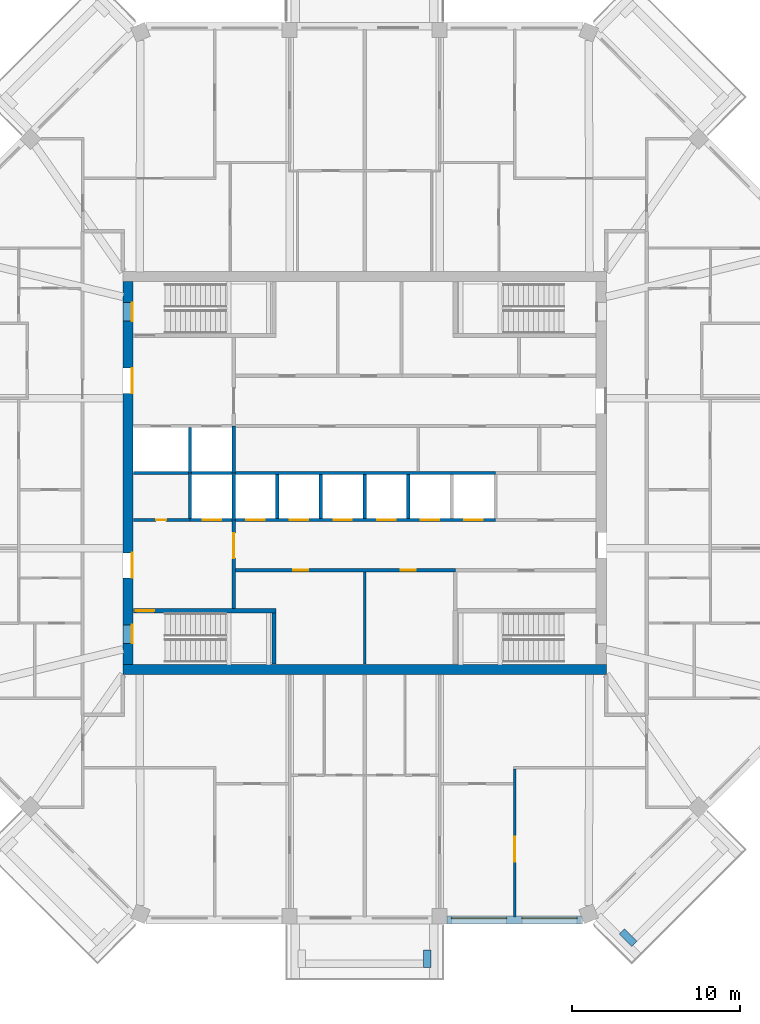
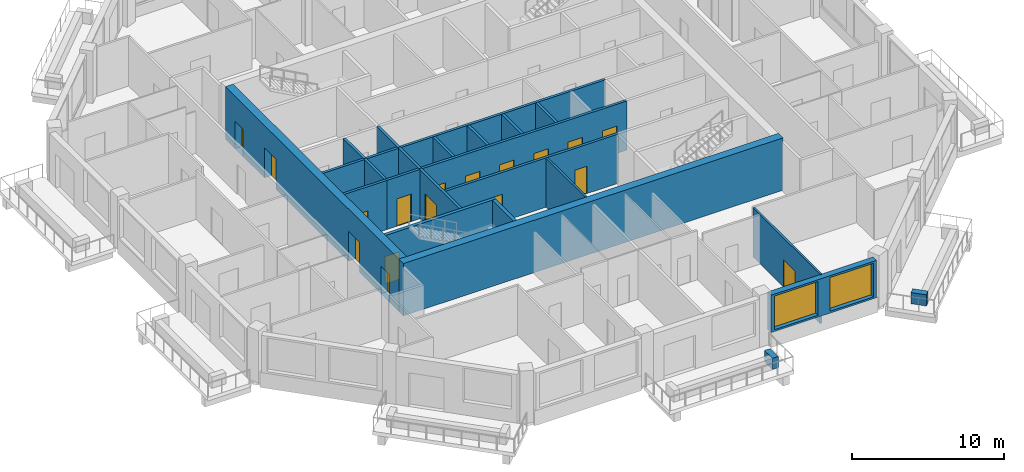
# One storey, part 4 of 12: 22 walls, 17 doors, 2 windows, 19 openings.
"""IFC4 building model written with IfcOpenShell, lengths in metres."""

from ifc_helpers import new_model, si_unit, direction, frame, frame_2d, origin, place, context, subcontext, project, spatial, rectangle, extrude, material, layer, layer_set, type_object, element, fill, save


model = new_model("IFC4")

# Units and contexts
model_context = context("Model", 3, precision=1e-05, world=origin(), true_north=direction((0.0, 1.0)))
body_context = subcontext(model_context, "Body", "Model", "MODEL_VIEW")
ifc_project = project(units=[si_unit("LENGTHUNIT", "METRE"), si_unit("AREAUNIT", "SQUARE_METRE"), si_unit("VOLUMEUNIT", "CUBIC_METRE"), si_unit("PLANEANGLEUNIT", "RADIAN"), si_unit("MASSUNIT", "GRAM", prefix="KILO")], contexts=[model_context])

# Site, building, storey
site_placement = place(None, origin())
site = spatial("IfcSite", under=ifc_project, at=site_placement, CompositionType="ELEMENT")
building_placement = place(site_placement, origin())
building = spatial("IfcBuilding", under=site, at=building_placement, Name="Msitu Wima Residences", CompositionType="ELEMENT")
storey_placement = place(building_placement, frame((0.0, 0.0, 243.300048828125)))
storey = spatial("IfcBuildingStorey", under=building, at=storey_placement, Name="L56", CompositionType="ELEMENT", Elevation=243.300048828125)

# Walls
ifc_material_1 = material(Name="Facing brick")
ifc_layer_1 = layer(ifc_material_1, 0.06494140625, Name="Facing brick")
ifc_material_2 = material(Name="Concrete C40/50", Category="concrete")
ifc_layer_2 = layer(ifc_material_2, 0.156005859375, Name="Concrete C40/50")
ifc_material_3 = material(Name="Waterproofing membrane")
ifc_layer_3 = layer(ifc_material_3, 0.00390625, Name="Waterproofing membrane")
ifc_material_4 = material(Name="Planting soil and planting")
ifc_layer_4 = layer(ifc_material_4, 0.22509765625, Name="Planting soil and planting")
ifc_layer_set_1 = layer_set([ifc_layer_1, ifc_layer_2, ifc_layer_3, ifc_layer_4], Name="Concrete C40/50")
wall_type_1 = type_object("IfcWallType", Name="Balcony planter PLANTER PL450", PredefinedType="USERDEFINED", material=ifc_layer_set_1)
for number, where, z_axis, x_axis, name in (
    (1, (3.74365234375, -28.39990234375, 0.0), (0.0, 0.0, 1.0), (0.0, -1.0, 0.0), "Balcony planter S1 L56"),
    (2, (15.332763671875, -27.301513671875, 0.0), (0.0, 0.0, 1.0), (0.707106781187, -0.707106781187, 0.0), "Balcony planter SE0 L56"),
):
    element("IfcWall", number, at=place(storey_placement, frame(where, z_axis=z_axis, x_axis=x_axis)), inside=storey, type_object=wall_type_1, Name=name, ObjectType="PLANTER", PredefinedType="USERDEFINED", context=body_context, shape_type="SweptSolid", body=[
        extrude(rectangle(XDim=1.050048828125, YDim=0.449951171875, at=frame_2d((0.52490234375, 0.0))), origin(), (0.0, 0.0, 1.0), 0.89990234375),
    ])

# Wall, openings, windows
ifc_material_5 = material(Name="Brick (red buff mix)", Category="masonry")
ifc_layer_5 = layer(ifc_material_5, 0.449951171875)
ifc_layer_set_2 = layer_set([ifc_layer_5], Name="Brick (red buff mix)")
wall_type_2 = type_object("IfcWallType", Name="Brick infill wall BW450", PredefinedType="SOLIDWALL", material=ifc_layer_set_2)
wall_1_placement = place(storey_placement, frame((4.918701171875, -26.625, 0.89990234375), z_axis=(0.0, 0.0, 1.0), x_axis=(1.0, 0.0, 0.0)))
wall_1 = element("IfcWall", 3, at=wall_1_placement, inside=storey, type_object=wall_type_2, Name="Brick infill wall L56 S2", PredefinedType="SOLIDWALL", context=body_context, shape_type="SweptSolid", body=[
    extrude(rectangle(XDim=8.0, YDim=0.449951171875, at=frame_2d((4.0, 0.0))), origin(), (0.0, 0.0, 1.0), 3.0),
])
opening_1_placement = place(wall_1_placement, frame((0.25, 0.0, 0.14990234375)))
opening_1 = element("IfcOpeningElement", 4, at=opening_1_placement, cuts=wall_1, Name="Opening W55-56.019", PredefinedType="OPENING", context=body_context, shape_type="SweptSolid", body=[
    extrude(rectangle(XDim=3.300048828125, YDim=2.699951171875, at=frame_2d((1.64990234375, 1.35009765625))), frame((0.0, 0.23486328125, 0.0), z_axis=(0.0, -1.0, 0.0), x_axis=(1.0, 0.0, 0.0)), (0.0, 0.0, 1.0), 0.469970703125),
])
opening_2_placement = place(wall_1_placement, frame((4.4501953125, 0.0, 0.14990234375)))
opening_2 = element("IfcOpeningElement", 5, at=opening_2_placement, cuts=wall_1, Name="Opening W55-56.020", PredefinedType="OPENING", context=body_context, shape_type="SweptSolid", body=[
    extrude(rectangle(XDim=3.300048828125, YDim=2.699951171875, at=frame_2d((1.64990234375, 1.35009765625))), frame((0.0, 0.23486328125, 0.0), z_axis=(0.0, -1.0, 0.0), x_axis=(1.0, 0.0, 0.0)), (0.0, 0.0, 1.0), 0.469970703125),
])
ifc_material_6 = material(Name="Anodised aluminium, bronze finish, clear low-emissivity double glazing", Category="aluminium")
window_type = type_object("IfcWindowType", Name="Window W3300x2700", PartitioningType="DOUBLE_PANEL_VERTICAL", PredefinedType="WINDOW", material=ifc_material_6)
window_1_placement = place(opening_1_placement, origin())
window_1 = element("IfcWindow", 6, at=window_1_placement, inside=storey, type_object=window_type, Name="Window L56 S2.1", OverallHeight=2.699951171875, OverallWidth=3.300048828125, PartitioningType="SINGLE_PANEL", PredefinedType="WINDOW", context=body_context, shape_type="SweptSolid", body=[
    extrude(rectangle(XDim=3.300048828125, YDim=2.699951171875, at=frame_2d((1.64990234375, 1.35009765625))), frame((0.0, 0.135009765625, 0.0), z_axis=(0.0, -1.0, 0.0), x_axis=(1.0, 0.0, 0.0)), (0.0, 0.0, 1.0), 0.06005859375),
])
fill(opening_1, window_1)
window_2_placement = place(opening_2_placement, origin())
window_2 = element("IfcWindow", 7, at=window_2_placement, inside=storey, type_object=window_type, Name="Window L56 S2.2", OverallHeight=2.699951171875, OverallWidth=3.300048828125, PartitioningType="SINGLE_PANEL", PredefinedType="WINDOW", context=body_context, shape_type="SweptSolid", body=[
    extrude(rectangle(XDim=3.300048828125, YDim=2.699951171875, at=frame_2d((1.64990234375, 1.35009765625))), frame((0.0, 0.135009765625, 0.0), z_axis=(0.0, -1.0, 0.0), x_axis=(1.0, 0.0, 0.0)), (0.0, 0.0, 1.0), 0.06005859375),
])
fill(opening_2, window_2)

# Wall
ifc_material_7 = material(Name="Concrete C50/60", Category="concrete")
ifc_layer_6 = layer(ifc_material_7, 0.60009765625)
ifc_layer_set_3 = layer_set([ifc_layer_6], Name="Concrete C50/60")
wall_type_3 = type_object("IfcWallType", Name="Core wall CW600 C50/60", PredefinedType="SHEAR", material=ifc_layer_set_3)
wall_2_placement = place(storey_placement, frame((-14.39990234375, -11.699951171875, 0.0), z_axis=(0.0, 0.0, 1.0), x_axis=(1.0, 0.0, 0.0)))
element("IfcWall", 8, at=wall_2_placement, inside=storey, type_object=wall_type_3, Name="Core wall", PredefinedType="SHEAR", context=body_context, shape_type="SweptSolid", body=[
    extrude(rectangle(XDim=28.7998046875, YDim=0.60009765625, at=frame_2d((14.39990234375, 0.0))), origin(), (0.0, 0.0, 1.0), 4.199951171875),
])

# Wall, openings, doors
wall_3_placement = place(storey_placement, frame((-14.10009765625, -11.39990234375, 0.0), z_axis=(0.0, 0.0, 1.0), x_axis=(0.0, 1.0, 0.0)))
wall_3 = element("IfcWall", 9, at=wall_3_placement, inside=storey, type_object=wall_type_3, Name="Core wall", PredefinedType="SHEAR", context=body_context, shape_type="SweptSolid", body=[
    extrude(rectangle(XDim=22.7998046875, YDim=0.60009765625, at=frame_2d((11.39990234375, 0.0))), origin(), (0.0, 0.0, 1.0), 4.199951171875),
])
opening_3_placement = place(wall_3_placement, frame((20.449951171875, 0.0, 0.0)))
opening_3 = element("IfcOpeningElement", 10, at=opening_3_placement, cuts=wall_3, Name="Opening D55-56.077", PredefinedType="OPENING", context=body_context, shape_type="SweptSolid", body=[
    extrude(rectangle(XDim=1.10009765625, YDim=2.199951171875, at=frame_2d((0.550048828125, 1.10009765625))), frame((0.0, 0.31005859375, 0.0), z_axis=(0.0, -1.0, 0.0), x_axis=(1.0, 0.0, 0.0)), (0.0, 0.0, 1.0), 0.6201171875),
])
opening_4_placement = place(wall_3_placement, frame((1.25, 0.0, 0.0)))
opening_4 = element("IfcOpeningElement", 11, at=opening_4_placement, cuts=wall_3, Name="Opening D55-56.079", PredefinedType="OPENING", context=body_context, shape_type="SweptSolid", body=[
    extrude(rectangle(XDim=1.10009765625, YDim=2.199951171875, at=frame_2d((0.550048828125, 1.10009765625))), frame((0.0, 0.31005859375, 0.0), z_axis=(0.0, -1.0, 0.0), x_axis=(1.0, 0.0, 0.0)), (0.0, 0.0, 1.0), 0.6201171875),
])
opening_5_placement = place(wall_3_placement, frame((16.14990234375, 0.0, 0.0)))
opening_5 = element("IfcOpeningElement", 12, at=opening_5_placement, cuts=wall_3, Name="Opening D55-56.060", PredefinedType="OPENING", context=body_context, shape_type="SweptSolid", body=[
    extrude(rectangle(XDim=1.5, YDim=2.39990234375, at=frame_2d((0.75, 1.199951171875))), frame((0.0, 0.31005859375, 0.0), z_axis=(0.0, -1.0, 0.0), x_axis=(1.0, 0.0, 0.0)), (0.0, 0.0, 1.0), 0.6201171875),
])
opening_6_placement = place(wall_3_placement, frame((5.14990234375, 0.0, 0.0)))
opening_6 = element("IfcOpeningElement", 13, at=opening_6_placement, cuts=wall_3, Name="Opening D55-56.062", PredefinedType="OPENING", context=body_context, shape_type="SweptSolid", body=[
    extrude(rectangle(XDim=1.5, YDim=2.39990234375, at=frame_2d((0.75, 1.199951171875))), frame((0.0, 0.31005859375, 0.0), z_axis=(0.0, -1.0, 0.0), x_axis=(1.0, 0.0, 0.0)), (0.0, 0.0, 1.0), 0.6201171875),
])
ifc_material_8 = material(Name="Steel framed glazed door, fire resisting", Category="steel")
door_type_1 = type_object("IfcDoorType", Name="Lobby door D07 1500x2400", OperationType="DOUBLE_DOOR_SINGLE_SWING", PredefinedType="DOOR", material=ifc_material_8)
door_1_placement = place(opening_5_placement, origin())
door_1 = element("IfcDoor", 14, at=door_1_placement, inside=storey, type_object=door_type_1, Name="Lobby door", OperationType="DOUBLE_DOOR_SINGLE_SWING", OverallHeight=2.39990234375, OverallWidth=1.5, PredefinedType="DOOR", context=body_context, shape_type="SweptSolid", body=[
    extrude(rectangle(XDim=1.5, YDim=2.39990234375, at=frame_2d((0.75, 1.199951171875))), frame((0.0, -0.2451171875, 0.0), z_axis=(0.0, -1.0, 0.0), x_axis=(1.0, 0.0, 0.0)), (0.0, 0.0, 1.0), 0.050048828125),
])
fill(opening_5, door_1)
door_2_placement = place(opening_6_placement, origin())
door_2 = element("IfcDoor", 15, at=door_2_placement, inside=storey, type_object=door_type_1, Name="Lobby door", OperationType="DOUBLE_DOOR_SINGLE_SWING", OverallHeight=2.39990234375, OverallWidth=1.5, PredefinedType="DOOR", context=body_context, shape_type="SweptSolid", body=[
    extrude(rectangle(XDim=1.5, YDim=2.39990234375, at=frame_2d((0.75, 1.199951171875))), frame((0.0, -0.2451171875, 0.0), z_axis=(0.0, -1.0, 0.0), x_axis=(1.0, 0.0, 0.0)), (0.0, 0.0, 1.0), 0.050048828125),
])
fill(opening_6, door_2)
ifc_material_9 = material(Name="Steel door, fire resisting, panic bar", Category="steel")
door_type_2 = type_object("IfcDoorType", Name="Stair door D06 1100x2200", OperationType="SINGLE_SWING_LEFT", PredefinedType="DOOR", material=ifc_material_9)
door_3_placement = place(opening_3_placement, origin())
door_3 = element("IfcDoor", 16, at=door_3_placement, inside=storey, type_object=door_type_2, Name="Stair door", OperationType="SINGLE_SWING_RIGHT", OverallHeight=2.199951171875, OverallWidth=1.10009765625, PredefinedType="DOOR", context=body_context, shape_type="SweptSolid", body=[
    extrude(rectangle(XDim=1.10009765625, YDim=2.199951171875, at=frame_2d((0.550048828125, 1.10009765625))), frame((0.0, -0.2451171875, 0.0), z_axis=(0.0, -1.0, 0.0), x_axis=(1.0, 0.0, 0.0)), (0.0, 0.0, 1.0), 0.050048828125),
])
fill(opening_3, door_3)
door_4_placement = place(opening_4_placement, origin())
door_4 = element("IfcDoor", 17, at=door_4_placement, inside=storey, type_object=door_type_2, Name="Stair door", OperationType="SINGLE_SWING_LEFT", OverallHeight=2.199951171875, OverallWidth=1.10009765625, PredefinedType="DOOR", context=body_context, shape_type="SweptSolid", body=[
    extrude(rectangle(XDim=1.10009765625, YDim=2.199951171875, at=frame_2d((0.550048828125, 1.10009765625))), frame((0.0, -0.2451171875, 0.0), z_axis=(0.0, -1.0, 0.0), x_axis=(1.0, 0.0, 0.0)), (0.0, 0.0, 1.0), 0.050048828125),
])
fill(opening_4, door_4)

# Wall, opening, door
ifc_material_10 = material(Name="Plaster")
ifc_layer_7 = layer(ifc_material_10, 0.011962890625, Name="Plaster")
ifc_material_11 = material(Name="Concrete blockwork", Category="masonry")
ifc_layer_8 = layer(ifc_material_11, 0.176025390625, Name="Concrete blockwork")
ifc_layer_9 = layer(ifc_material_10, 0.011962890625, Name="Plaster")
ifc_layer_set_4 = layer_set([ifc_layer_7, ifc_layer_8, ifc_layer_9], Name="Concrete blockwork")
wall_type_4 = type_object("IfcWallType", Name="Corridor wall FW200", PredefinedType="PARTITIONING", material=ifc_layer_set_4)
wall_4_placement = place(storey_placement, frame((-7.800048828125, -8.074951171875, 0.0), z_axis=(0.0, 0.0, 1.0), x_axis=(0.0, 1.0, 0.0)))
wall_4 = element("IfcWall", 18, at=wall_4_placement, inside=storey, type_object=wall_type_4, Name="Corridor wall", PredefinedType="PARTITIONING", context=body_context, shape_type="SweptSolid", body=[
    extrude(rectangle(XDim=5.27490234375, YDim=0.199951171875, at=frame_2d((2.637451171875, 0.0))), origin(), (0.0, 0.0, 1.0), 3.949951171875),
])
opening_7_placement = place(wall_4_placement, frame((3.0, 0.0, 0.0)))
opening_7 = element("IfcOpeningElement", 19, at=opening_7_placement, cuts=wall_4, Name="Opening D55-56.063", PredefinedType="OPENING", context=body_context, shape_type="SweptSolid", body=[
    extrude(rectangle(XDim=1.5, YDim=2.39990234375, at=frame_2d((0.75, 1.199951171875))), frame((0.0, 0.10986328125, 0.0), z_axis=(0.0, -1.0, 0.0), x_axis=(1.0, 0.0, 0.0)), (0.0, 0.0, 1.0), 0.219970703125),
])
door_5_placement = place(opening_7_placement, origin())
door_5 = element("IfcDoor", 20, at=door_5_placement, inside=storey, type_object=door_type_1, Name="Lobby door", OperationType="DOUBLE_DOOR_SINGLE_SWING", OverallHeight=2.39990234375, OverallWidth=1.5, PredefinedType="DOOR", context=body_context, shape_type="SweptSolid", body=[
    extrude(rectangle(XDim=1.5, YDim=2.39990234375, at=frame_2d((0.75, 1.199951171875))), frame((0.0, 0.02490234375, 0.0), z_axis=(0.0, -1.0, 0.0), x_axis=(1.0, 0.0, 0.0)), (0.0, 0.0, 1.0), 0.050048828125),
])
fill(opening_7, door_5)

# Wall, openings, doors
wall_5_placement = place(storey_placement, frame((-7.699951171875, -5.800048828125, 0.0), z_axis=(0.0, 0.0, 1.0), x_axis=(1.0, 0.0, 0.0)))
wall_5 = element("IfcWall", 21, at=wall_5_placement, inside=storey, type_object=wall_type_4, Name="Corridor wall", PredefinedType="PARTITIONING", context=body_context, shape_type="SweptSolid", body=[
    extrude(rectangle(XDim=13.119873046875, YDim=0.199951171875, at=frame_2d((6.56005859375, 0.0))), origin(), (0.0, 0.0, 1.0), 3.949951171875),
])
opening_8_placement = place(wall_5_placement, frame((3.449951171875, 0.0, 0.0)))
opening_8 = element("IfcOpeningElement", 22, at=opening_8_placement, cuts=wall_5, Name="Opening D55-56.068", PredefinedType="OPENING", context=body_context, shape_type="SweptSolid", body=[
    extrude(rectangle(XDim=0.89990234375, YDim=2.199951171875, at=frame_2d((0.449951171875, 1.10009765625))), frame((0.0, 0.10986328125, 0.0), z_axis=(0.0, -1.0, 0.0), x_axis=(1.0, 0.0, 0.0)), (0.0, 0.0, 1.0), 0.219970703125),
])
opening_9_placement = place(wall_5_placement, frame((9.85009765625, 0.0, 0.0)))
opening_9 = element("IfcOpeningElement", 23, at=opening_9_placement, cuts=wall_5, Name="Opening D55-56.069", PredefinedType="OPENING", context=body_context, shape_type="SweptSolid", body=[
    extrude(rectangle(XDim=0.89990234375, YDim=2.199951171875, at=frame_2d((0.449951171875, 1.10009765625))), frame((0.0, 0.10986328125, 0.0), z_axis=(0.0, -1.0, 0.0), x_axis=(1.0, 0.0, 0.0)), (0.0, 0.0, 1.0), 0.219970703125),
])
ifc_material_12 = material(Name="Timber flush door", Category="wood")
door_type_3 = type_object("IfcDoorType", Name="Service door D05 900x2200", OperationType="SINGLE_SWING_LEFT", PredefinedType="DOOR", material=ifc_material_12)
door_6_placement = place(opening_8_placement, origin())
door_6 = element("IfcDoor", 24, at=door_6_placement, inside=storey, type_object=door_type_3, Name="Service door", OperationType="SINGLE_SWING_RIGHT", OverallHeight=2.199951171875, OverallWidth=0.89990234375, PredefinedType="DOOR", context=body_context, shape_type="SweptSolid", body=[
    extrude(rectangle(XDim=0.89990234375, YDim=2.199951171875, at=frame_2d((0.449951171875, 1.10009765625))), frame((0.0, 0.02490234375, 0.0), z_axis=(0.0, -1.0, 0.0), x_axis=(1.0, 0.0, 0.0)), (0.0, 0.0, 1.0), 0.050048828125),
])
fill(opening_8, door_6)
door_7_placement = place(opening_9_placement, origin())
door_7 = element("IfcDoor", 25, at=door_7_placement, inside=storey, type_object=door_type_3, Name="Service door", OperationType="SINGLE_SWING_RIGHT", OverallHeight=2.199951171875, OverallWidth=0.89990234375, PredefinedType="DOOR", context=body_context, shape_type="SweptSolid", body=[
    extrude(rectangle(XDim=0.89990234375, YDim=2.199951171875, at=frame_2d((0.449951171875, 1.10009765625))), frame((0.0, 0.02490234375, 0.0), z_axis=(0.0, -1.0, 0.0), x_axis=(1.0, 0.0, 0.0)), (0.0, 0.0, 1.0), 0.050048828125),
])
fill(opening_9, door_7)

# Wall
ifc_layer_10 = layer(ifc_material_10, 0.011962890625, Name="Plaster")
ifc_layer_11 = layer(ifc_material_11, 0.1259765625, Name="Concrete blockwork")
ifc_layer_12 = layer(ifc_material_10, 0.011962890625, Name="Plaster")
ifc_layer_set_5 = layer_set([ifc_layer_10, ifc_layer_11, ifc_layer_12], Name="Concrete blockwork")
wall_type_5 = type_object("IfcWallType", Name="Partition PW150", PredefinedType="PARTITIONING", material=ifc_layer_set_5)
wall_6_placement = place(storey_placement, frame((0.0, -11.3701171875, 0.0), z_axis=(0.0, 0.0, 1.0), x_axis=(0.0, 1.0, 0.0)))
element("IfcWall", 26, at=wall_6_placement, inside=storey, type_object=wall_type_5, Name="Partition", PredefinedType="PARTITIONING", context=body_context, shape_type="SweptSolid", body=[
    extrude(rectangle(XDim=5.47021484375, YDim=0.14990234375, at=frame_2d((2.735107421875, 0.0))), origin(), (0.0, 0.0, 1.0), 3.949951171875),
])

# Wall, opening, door
wall_7_placement = place(storey_placement, frame((8.937255859375, -26.455078125, 0.0), z_axis=(0.0, 0.0, 1.0), x_axis=(0.0, 1.0, 0.0)))
wall_7 = element("IfcWall", 27, at=wall_7_placement, inside=storey, type_object=wall_type_5, Name="Partition", PredefinedType="PARTITIONING", context=body_context, shape_type="SweptSolid", body=[
    extrude(rectangle(XDim=8.830078125, YDim=0.14990234375, at=frame_2d((4.4150390625, 0.0))), origin(), (0.0, 0.0, 1.0), 3.949951171875),
])
opening_10_placement = place(wall_7_placement, frame((3.300048828125, 0.0, 0.0)))
opening_10 = element("IfcOpeningElement", 28, at=opening_10_placement, cuts=wall_7, Name="Opening D55-56.022", PredefinedType="OPENING", context=body_context, shape_type="SweptSolid", body=[
    extrude(rectangle(XDim=1.5, YDim=2.199951171875, at=frame_2d((0.75, 1.10009765625))), frame((0.0, 0.0849609375, 0.0), z_axis=(0.0, -1.0, 0.0), x_axis=(1.0, 0.0, 0.0)), (0.0, 0.0, 1.0), 0.169921875),
])
ifc_material_13 = material(Name="Timber double door", Category="wood")
door_type_4 = type_object("IfcDoorType", Name="Double door D04 1500x2200", OperationType="DOUBLE_DOOR_SINGLE_SWING", PredefinedType="DOOR", material=ifc_material_13)
door_8_placement = place(opening_10_placement, origin())
door_8 = element("IfcDoor", 29, at=door_8_placement, inside=storey, type_object=door_type_4, Name="Double door", OperationType="DOUBLE_DOOR_SINGLE_SWING", OverallHeight=2.199951171875, OverallWidth=1.5, PredefinedType="DOOR", context=body_context, shape_type="SweptSolid", body=[
    extrude(rectangle(XDim=1.5, YDim=2.199951171875, at=frame_2d((0.75, 1.10009765625))), frame((0.0, 0.02490234375, 0.0), z_axis=(0.0, -1.0, 0.0), x_axis=(1.0, 0.0, 0.0)), (0.0, 0.0, 1.0), 0.050048828125),
])
fill(opening_10, door_8)

ifc_layer_13 = layer(ifc_material_10, 0.011962890625, Name="Plaster")
ifc_material_14 = material(Name="Reinforced concrete blockwork", Category="masonry")
ifc_layer_14 = layer(ifc_material_14, 0.176025390625, Name="Reinforced concrete blockwork")
ifc_layer_15 = layer(ifc_material_10, 0.011962890625, Name="Plaster")
ifc_layer_set_6 = layer_set([ifc_layer_13, ifc_layer_14, ifc_layer_15], Name="Reinforced concrete blockwork")
wall_type_6 = type_object("IfcWallType", Name="Plant and riser wall PL200", PredefinedType="PARTITIONING", material=ifc_layer_set_6)
wall_8_placement = place(storey_placement, frame((-13.77001953125, -2.800048828125, 0.0), z_axis=(0.0, 0.0, 1.0), x_axis=(1.0, 0.0, 0.0)))
wall_8 = element("IfcWall", 30, at=wall_8_placement, inside=storey, type_object=wall_type_6, Name="Plant and riser wall", PredefinedType="PARTITIONING", context=body_context, shape_type="SweptSolid", body=[
    extrude(rectangle(XDim=3.3701171875, YDim=0.199951171875, at=frame_2d((1.68505859375, 0.0))), origin(), (0.0, 0.0, 1.0), 3.949951171875),
])
opening_11_placement = place(wall_8_placement, frame((1.35009765625, 0.0, 0.0)))
opening_11 = element("IfcOpeningElement", 31, at=opening_11_placement, cuts=wall_8, Name="Opening D55-56.076", PredefinedType="OPENING", context=body_context, shape_type="SweptSolid", body=[
    extrude(rectangle(XDim=0.60009765625, YDim=2.0, at=frame_2d((0.300048828125, 1.0))), frame((0.0, 0.10986328125, 0.0), z_axis=(0.0, -1.0, 0.0), x_axis=(1.0, 0.0, 0.0)), (0.0, 0.0, 1.0), 0.219970703125),
])
ifc_material_15 = material(Name="Steel access door, fire resisting", Category="steel")
door_type_5 = type_object("IfcDoorType", Name="Riser access door D08 600x2000", OperationType="SINGLE_SWING_LEFT", PredefinedType="DOOR", material=ifc_material_15)
door_9_placement = place(opening_11_placement, origin())
door_9 = element("IfcDoor", 32, at=door_9_placement, inside=storey, type_object=door_type_5, Name="Riser access door", OperationType="SINGLE_SWING_RIGHT", OverallHeight=2.0, OverallWidth=0.60009765625, PredefinedType="DOOR", context=body_context, shape_type="SweptSolid", body=[
    extrude(rectangle(XDim=0.60009765625, YDim=2.0, at=frame_2d((0.300048828125, 1.0))), frame((0.0, 0.02490234375, 0.0), z_axis=(0.0, -1.0, 0.0), x_axis=(1.0, 0.0, 0.0)), (0.0, 0.0, 1.0), 0.050048828125),
])
fill(opening_11, door_9)

# Walls
ifc_material_16 = material(Name="Fire-rated board")
ifc_layer_16 = layer(ifc_material_16, 0.02490234375, Name="Fire-rated board")
ifc_material_17 = material(Name="Light-gauge stud framing with mineral wool")
ifc_layer_17 = layer(ifc_material_17, 0.14990234375, Name="Light-gauge stud framing with mineral wool")
ifc_layer_18 = layer(ifc_material_16, 0.02490234375, Name="Fire-rated board")
ifc_layer_set_7 = layer_set([ifc_layer_16, ifc_layer_17, ifc_layer_18], Name="Light-gauge stud framing with mineral wool")
wall_type_7 = type_object("IfcWallType", Name="Shaft wall SH200", PredefinedType="PARTITIONING", material=ifc_layer_set_7)
wall_9_placement = place(storey_placement, frame((-13.77001953125, 0.0, 0.0), z_axis=(0.0, 0.0, 1.0), x_axis=(1.0, 0.0, 0.0)))
element("IfcWall", 33, at=wall_9_placement, inside=storey, type_object=wall_type_7, Name="Shaft wall", PredefinedType="PARTITIONING", context=body_context, shape_type="SweptSolid", body=[
    extrude(rectangle(XDim=21.570068359375, YDim=0.199951171875, at=frame_2d((10.78515625, 0.0))), origin(), (0.0, 0.0, 1.0), 3.949951171875),
])
wall_10_placement = place(storey_placement, frame((-10.39990234375, -2.699951171875, 0.0), z_axis=(0.0, 0.0, 1.0), x_axis=(0.0, 1.0, 0.0)))
element("IfcWall", 34, at=wall_10_placement, inside=storey, type_object=wall_type_7, Name="Shaft wall", PredefinedType="PARTITIONING", context=body_context, shape_type="SweptSolid", body=[
    extrude(rectangle(XDim=2.699951171875, YDim=0.199951171875, at=frame_2d((1.35009765625, 0.0))), origin(), (0.0, 0.0, 1.0), 3.949951171875),
])

# Wall, openings, doors
wall_11_placement = place(storey_placement, frame((-10.39990234375, -2.800048828125, 0.0), z_axis=(0.0, 0.0, 1.0), x_axis=(1.0, 0.0, 0.0)))
wall_11 = element("IfcWall", 35, at=wall_11_placement, inside=storey, type_object=wall_type_7, Name="Shaft wall", PredefinedType="PARTITIONING", context=body_context, shape_type="SweptSolid", body=[
    extrude(rectangle(XDim=18.199951171875, YDim=0.199951171875, at=frame_2d((9.10009765625, 0.0))), origin(), (0.0, 0.0, 1.0), 3.949951171875),
])
opening_12_placement = place(wall_11_placement, frame((0.75, 0.0, 0.0)))
opening_12 = element("IfcOpeningElement", 36, at=opening_12_placement, cuts=wall_11, Name="Opening LD", PredefinedType="OPENING", context=body_context, shape_type="SweptSolid", body=[
    extrude(rectangle(XDim=1.10009765625, YDim=2.199951171875, at=frame_2d((0.550048828125, 1.10009765625))), frame((0.0, 0.10986328125, 0.0), z_axis=(0.0, -1.0, 0.0), x_axis=(1.0, 0.0, 0.0)), (0.0, 0.0, 1.0), 0.219970703125),
])
opening_13_placement = place(wall_11_placement, frame((3.35009765625, 0.0, 0.0)))
opening_13 = element("IfcOpeningElement", 37, at=opening_13_placement, cuts=wall_11, Name="Opening LD", PredefinedType="OPENING", context=body_context, shape_type="SweptSolid", body=[
    extrude(rectangle(XDim=1.10009765625, YDim=2.199951171875, at=frame_2d((0.550048828125, 1.10009765625))), frame((0.0, 0.10986328125, 0.0), z_axis=(0.0, -1.0, 0.0), x_axis=(1.0, 0.0, 0.0)), (0.0, 0.0, 1.0), 0.219970703125),
])
opening_14_placement = place(wall_11_placement, frame((5.949951171875, 0.0, 0.0)))
opening_14 = element("IfcOpeningElement", 38, at=opening_14_placement, cuts=wall_11, Name="Opening LD", PredefinedType="OPENING", context=body_context, shape_type="SweptSolid", body=[
    extrude(rectangle(XDim=1.10009765625, YDim=2.199951171875, at=frame_2d((0.550048828125, 1.10009765625))), frame((0.0, 0.10986328125, 0.0), z_axis=(0.0, -1.0, 0.0), x_axis=(1.0, 0.0, 0.0)), (0.0, 0.0, 1.0), 0.219970703125),
])
opening_15_placement = place(wall_11_placement, frame((8.550048828125, 0.0, 0.0)))
opening_15 = element("IfcOpeningElement", 39, at=opening_15_placement, cuts=wall_11, Name="Opening LD", PredefinedType="OPENING", context=body_context, shape_type="SweptSolid", body=[
    extrude(rectangle(XDim=1.10009765625, YDim=2.199951171875, at=frame_2d((0.550048828125, 1.10009765625))), frame((0.0, 0.10986328125, 0.0), z_axis=(0.0, -1.0, 0.0), x_axis=(1.0, 0.0, 0.0)), (0.0, 0.0, 1.0), 0.219970703125),
])
opening_16_placement = place(wall_11_placement, frame((11.14990234375, 0.0, 0.0)))
opening_16 = element("IfcOpeningElement", 40, at=opening_16_placement, cuts=wall_11, Name="Opening LD", PredefinedType="OPENING", context=body_context, shape_type="SweptSolid", body=[
    extrude(rectangle(XDim=1.10009765625, YDim=2.199951171875, at=frame_2d((0.550048828125, 1.10009765625))), frame((0.0, 0.10986328125, 0.0), z_axis=(0.0, -1.0, 0.0), x_axis=(1.0, 0.0, 0.0)), (0.0, 0.0, 1.0), 0.219970703125),
])
opening_17_placement = place(wall_11_placement, frame((13.75, 0.0, 0.0)))
opening_17 = element("IfcOpeningElement", 41, at=opening_17_placement, cuts=wall_11, Name="Opening LD", PredefinedType="OPENING", context=body_context, shape_type="SweptSolid", body=[
    extrude(rectangle(XDim=1.10009765625, YDim=2.199951171875, at=frame_2d((0.550048828125, 1.10009765625))), frame((0.0, 0.10986328125, 0.0), z_axis=(0.0, -1.0, 0.0), x_axis=(1.0, 0.0, 0.0)), (0.0, 0.0, 1.0), 0.219970703125),
])
opening_18_placement = place(wall_11_placement, frame((16.35009765625, 0.0, 0.0)))
opening_18 = element("IfcOpeningElement", 42, at=opening_18_placement, cuts=wall_11, Name="Opening LD", PredefinedType="OPENING", context=body_context, shape_type="SweptSolid", body=[
    extrude(rectangle(XDim=1.10009765625, YDim=2.199951171875, at=frame_2d((0.550048828125, 1.10009765625))), frame((0.0, 0.10986328125, 0.0), z_axis=(0.0, -1.0, 0.0), x_axis=(1.0, 0.0, 0.0)), (0.0, 0.0, 1.0), 0.219970703125),
])
ifc_material_18 = material(Name="Stainless steel centre-opening landing door, rated", Category="steel")
door_type_6 = type_object("IfcDoorType", Name="Lift landing door LD 1100x2200", OperationType="DOUBLE_DOOR_SLIDING", PredefinedType="DOOR", material=ifc_material_18)
door_10_placement = place(opening_12_placement, origin())
door_10 = element("IfcDoor", 43, at=door_10_placement, inside=storey, type_object=door_type_6, Name="Lift landing door LD3", OperationType="DOUBLE_DOOR_SLIDING", OverallHeight=2.199951171875, OverallWidth=1.10009765625, PredefinedType="DOOR", context=body_context, shape_type="SweptSolid", body=[
    extrude(rectangle(XDim=1.10009765625, YDim=2.199951171875, at=frame_2d((0.550048828125, 1.10009765625))), frame((0.0, 0.02490234375, 0.0), z_axis=(0.0, -1.0, 0.0), x_axis=(1.0, 0.0, 0.0)), (0.0, 0.0, 1.0), 0.050048828125),
])
fill(opening_12, door_10)
door_11_placement = place(opening_13_placement, origin())
door_11 = element("IfcDoor", 44, at=door_11_placement, inside=storey, type_object=door_type_6, Name="Lift landing door LD5", OperationType="DOUBLE_DOOR_SLIDING", OverallHeight=2.199951171875, OverallWidth=1.10009765625, PredefinedType="DOOR", context=body_context, shape_type="SweptSolid", body=[
    extrude(rectangle(XDim=1.10009765625, YDim=2.199951171875, at=frame_2d((0.550048828125, 1.10009765625))), frame((0.0, 0.02490234375, 0.0), z_axis=(0.0, -1.0, 0.0), x_axis=(1.0, 0.0, 0.0)), (0.0, 0.0, 1.0), 0.050048828125),
])
fill(opening_13, door_11)
door_12_placement = place(opening_14_placement, origin())
door_12 = element("IfcDoor", 45, at=door_12_placement, inside=storey, type_object=door_type_6, Name="Lift landing door LD7", OperationType="DOUBLE_DOOR_SLIDING", OverallHeight=2.199951171875, OverallWidth=1.10009765625, PredefinedType="DOOR", context=body_context, shape_type="SweptSolid", body=[
    extrude(rectangle(XDim=1.10009765625, YDim=2.199951171875, at=frame_2d((0.550048828125, 1.10009765625))), frame((0.0, 0.02490234375, 0.0), z_axis=(0.0, -1.0, 0.0), x_axis=(1.0, 0.0, 0.0)), (0.0, 0.0, 1.0), 0.050048828125),
])
fill(opening_14, door_12)
door_13_placement = place(opening_15_placement, origin())
door_13 = element("IfcDoor", 46, at=door_13_placement, inside=storey, type_object=door_type_6, Name="Lift landing door LD9", OperationType="DOUBLE_DOOR_SLIDING", OverallHeight=2.199951171875, OverallWidth=1.10009765625, PredefinedType="DOOR", context=body_context, shape_type="SweptSolid", body=[
    extrude(rectangle(XDim=1.10009765625, YDim=2.199951171875, at=frame_2d((0.550048828125, 1.10009765625))), frame((0.0, 0.02490234375, 0.0), z_axis=(0.0, -1.0, 0.0), x_axis=(1.0, 0.0, 0.0)), (0.0, 0.0, 1.0), 0.050048828125),
])
fill(opening_15, door_13)
door_14_placement = place(opening_16_placement, origin())
door_14 = element("IfcDoor", 47, at=door_14_placement, inside=storey, type_object=door_type_6, Name="Lift landing door LD11", OperationType="DOUBLE_DOOR_SLIDING", OverallHeight=2.199951171875, OverallWidth=1.10009765625, PredefinedType="DOOR", context=body_context, shape_type="SweptSolid", body=[
    extrude(rectangle(XDim=1.10009765625, YDim=2.199951171875, at=frame_2d((0.550048828125, 1.10009765625))), frame((0.0, 0.02490234375, 0.0), z_axis=(0.0, -1.0, 0.0), x_axis=(1.0, 0.0, 0.0)), (0.0, 0.0, 1.0), 0.050048828125),
])
fill(opening_16, door_14)
door_15_placement = place(opening_17_placement, origin())
door_15 = element("IfcDoor", 48, at=door_15_placement, inside=storey, type_object=door_type_6, Name="Lift landing door LD13", OperationType="DOUBLE_DOOR_SLIDING", OverallHeight=2.199951171875, OverallWidth=1.10009765625, PredefinedType="DOOR", context=body_context, shape_type="SweptSolid", body=[
    extrude(rectangle(XDim=1.10009765625, YDim=2.199951171875, at=frame_2d((0.550048828125, 1.10009765625))), frame((0.0, 0.02490234375, 0.0), z_axis=(0.0, -1.0, 0.0), x_axis=(1.0, 0.0, 0.0)), (0.0, 0.0, 1.0), 0.050048828125),
])
fill(opening_17, door_15)
door_16_placement = place(opening_18_placement, origin())
door_16 = element("IfcDoor", 49, at=door_16_placement, inside=storey, type_object=door_type_6, Name="Lift landing door LD15", OperationType="DOUBLE_DOOR_SLIDING", OverallHeight=2.199951171875, OverallWidth=1.10009765625, PredefinedType="DOOR", context=body_context, shape_type="SweptSolid", body=[
    extrude(rectangle(XDim=1.10009765625, YDim=2.199951171875, at=frame_2d((0.550048828125, 1.10009765625))), frame((0.0, 0.02490234375, 0.0), z_axis=(0.0, -1.0, 0.0), x_axis=(1.0, 0.0, 0.0)), (0.0, 0.0, 1.0), 0.050048828125),
])
fill(opening_18, door_16)

# Walls
wall_12_placement = place(storey_placement, frame((-10.39990234375, 0.0, 0.0), z_axis=(0.0, 0.0, 1.0), x_axis=(0.0, 1.0, 0.0)))
element("IfcWall", 50, at=wall_12_placement, inside=storey, type_object=wall_type_7, Name="Shaft wall", PredefinedType="PARTITIONING", context=body_context, shape_type="SweptSolid", body=[
    extrude(rectangle(XDim=2.699951171875, YDim=0.199951171875, at=frame_2d((1.35009765625, 0.0))), origin(), (0.0, 0.0, 1.0), 3.949951171875),
])
for number, where, z_axis, x_axis, name in (
    (51, (-7.800048828125, -2.800048828125, 0.0), (0.0, 0.0, 1.0), (0.0, 1.0, 0.0), "Shaft wall"),
    (52, (-7.800048828125, 0.0, 0.0), (0.0, 0.0, 1.0), (0.0, 1.0, 0.0), "Shaft wall"),
):
    element("IfcWall", number, at=place(storey_placement, frame(where, z_axis=z_axis, x_axis=x_axis)), inside=storey, type_object=wall_type_7, Name=name, PredefinedType="PARTITIONING", context=body_context, shape_type="SweptSolid", body=[
        extrude(rectangle(XDim=2.800048828125, YDim=0.199951171875, at=frame_2d((1.39990234375, 0.0))), origin(), (0.0, 0.0, 1.0), 3.949951171875),
    ])
for number, where, z_axis, x_axis, name in (
    (53, (-5.199951171875, -2.699951171875, 0.0), (0.0, 0.0, 1.0), (0.0, 1.0, 0.0), "Shaft wall"),
    (54, (-2.60009765625, -2.699951171875, 0.0), (0.0, 0.0, 1.0), (0.0, 1.0, 0.0), "Shaft wall"),
    (55, (0.0, -2.699951171875, 0.0), (0.0, 0.0, 1.0), (0.0, 1.0, 0.0), "Shaft wall"),
    (56, (2.60009765625, -2.699951171875, 0.0), (0.0, 0.0, 1.0), (0.0, 1.0, 0.0), "Shaft wall"),
):
    element("IfcWall", number, at=place(storey_placement, frame(where, z_axis=z_axis, x_axis=x_axis)), inside=storey, type_object=wall_type_7, Name=name, PredefinedType="PARTITIONING", context=body_context, shape_type="SweptSolid", body=[
        extrude(rectangle(XDim=2.599853515625, YDim=0.199951171875, at=frame_2d((1.2998046875, 0.0))), origin(), (0.0, 0.0, 1.0), 3.949951171875),
    ])

# Wall, opening, door
ifc_layer_19 = layer(ifc_material_7, 0.25)
ifc_layer_set_8 = layer_set([ifc_layer_19], Name="Concrete C50/60")
wall_type_8 = type_object("IfcWallType", Name="Stair enclosure wall SW250", PredefinedType="SHEAR", material=ifc_layer_set_8)
wall_13_placement = place(storey_placement, frame((-13.77001953125, -8.199951171875, 0.0), z_axis=(0.0, 0.0, 1.0), x_axis=(1.0, 0.0, 0.0)))
wall_13 = element("IfcWall", 57, at=wall_13_placement, inside=storey, type_object=wall_type_8, Name="Stair enclosure wall", PredefinedType="SHEAR", context=body_context, shape_type="SweptSolid", body=[
    extrude(rectangle(XDim=8.4951171875, YDim=0.25, at=frame_2d((4.24755859375, 0.0))), origin(), (0.0, 0.0, 1.0), 3.949951171875),
])
opening_19_placement = place(wall_13_placement, frame((0.14990234375, 0.0, 0.0)))
opening_19 = element("IfcOpeningElement", 58, at=opening_19_placement, cuts=wall_13, Name="Opening D55-56.080", PredefinedType="OPENING", context=body_context, shape_type="SweptSolid", body=[
    extrude(rectangle(XDim=1.10009765625, YDim=2.199951171875, at=frame_2d((0.550048828125, 1.10009765625))), frame((0.0, 0.135009765625, 0.0), z_axis=(0.0, -1.0, 0.0), x_axis=(1.0, 0.0, 0.0)), (0.0, 0.0, 1.0), 0.27001953125),
])
door_17_placement = place(opening_19_placement, origin())
door_17 = element("IfcDoor", 59, at=door_17_placement, inside=storey, type_object=door_type_2, Name="Stair door", OperationType="SINGLE_SWING_RIGHT", OverallHeight=2.199951171875, OverallWidth=1.10009765625, PredefinedType="DOOR", context=body_context, shape_type="SweptSolid", body=[
    extrude(rectangle(XDim=1.10009765625, YDim=2.199951171875, at=frame_2d((0.550048828125, 1.10009765625))), frame((0.0, 0.02490234375, 0.0), z_axis=(0.0, -1.0, 0.0), x_axis=(1.0, 0.0, 0.0)), (0.0, 0.0, 1.0), 0.050048828125),
])
fill(opening_19, door_17)

# Wall
wall_14_placement = place(storey_placement, frame((-5.39990234375, -11.3701171875, 0.0), z_axis=(0.0, 0.0, 1.0), x_axis=(0.0, 1.0, 0.0)))
element("IfcWall", 60, at=wall_14_placement, inside=storey, type_object=wall_type_8, Name="Stair enclosure wall", PredefinedType="SHEAR", context=body_context, shape_type="SweptSolid", body=[
    extrude(rectangle(XDim=3.045166015625, YDim=0.25, at=frame_2d((1.5224609375, 0.0))), origin(), (0.0, 0.0, 1.0), 3.949951171875),
])

save(model, "model.ifc")
